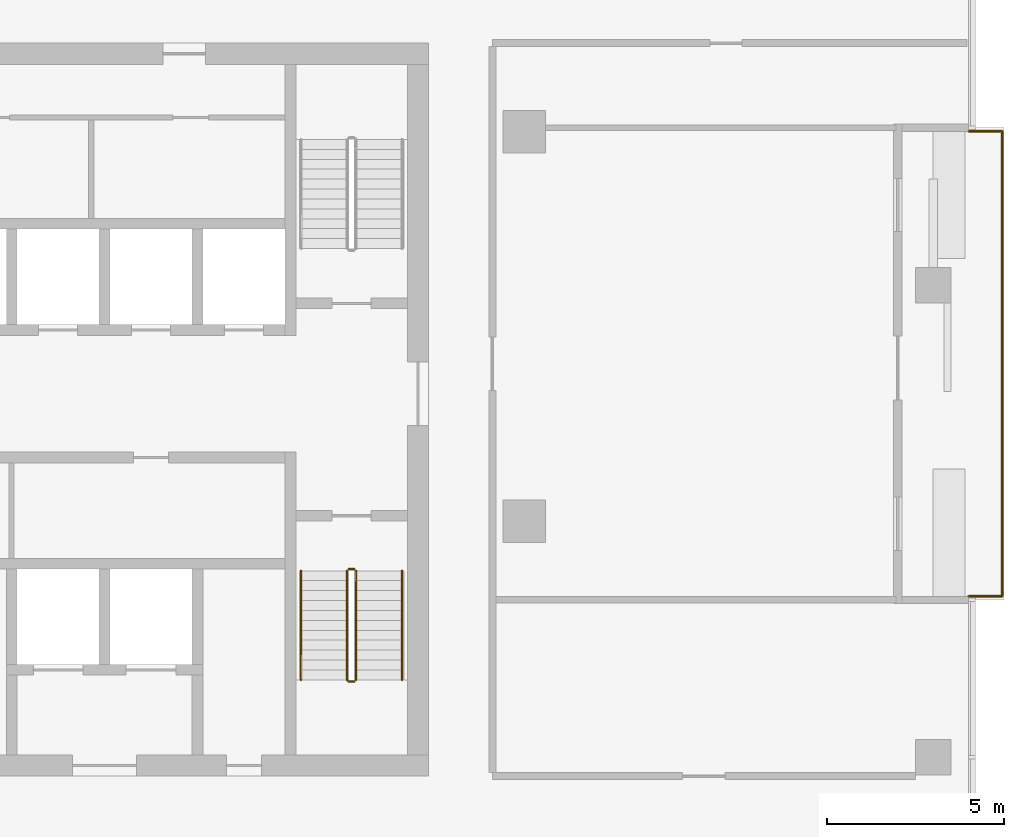
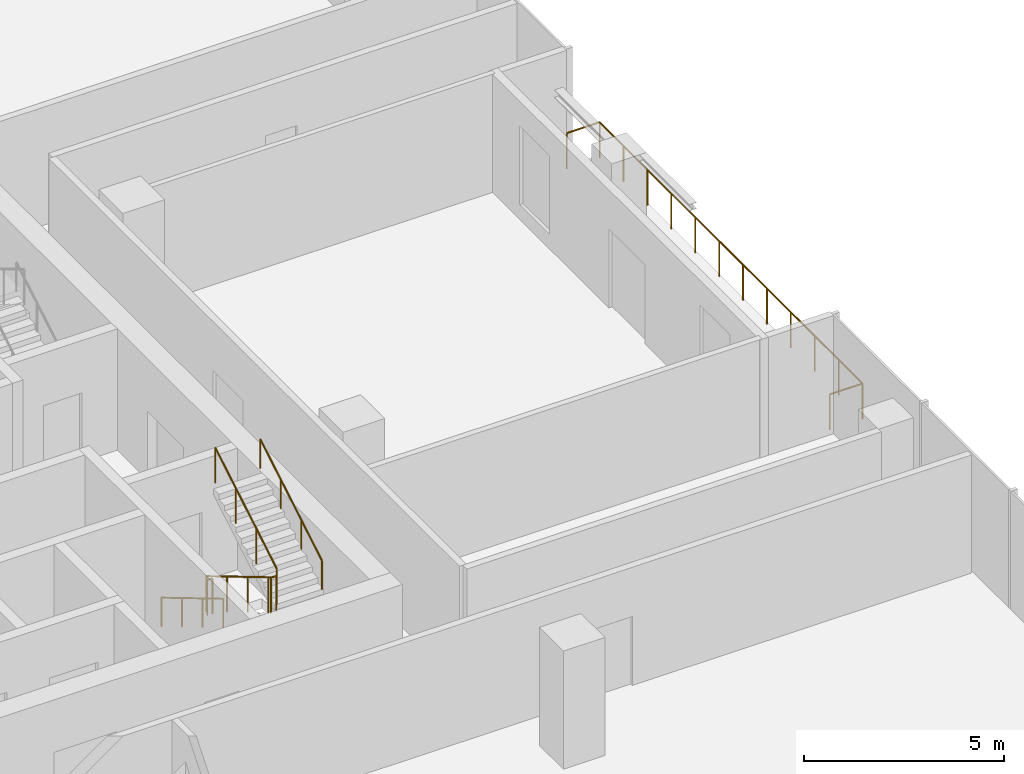
# One storey, part 12 of 13: 6 railings.
"""IFC4 building model written with IfcOpenShell, lengths in metres."""

from ifc_helpers import new_model, si_unit, direction, frame, origin, origin_2d, place, context, subcontext, project, spatial, circle, extrude, material, type_object, element, save


model = new_model("IFC4")

# Units and contexts
model_context = context("Model", 3, precision=1e-05, world=origin(), true_north=direction((0.0, 1.0)))
body_context = subcontext(model_context, "Body", "Model", "MODEL_VIEW")
ifc_project = project(units=[si_unit("LENGTHUNIT", "METRE"), si_unit("AREAUNIT", "SQUARE_METRE"), si_unit("VOLUMEUNIT", "CUBIC_METRE"), si_unit("PLANEANGLEUNIT", "RADIAN"), si_unit("MASSUNIT", "GRAM", prefix="KILO")], contexts=[model_context])

# Site, building, storey
site_placement = place(None, origin())
site = spatial("IfcSite", under=ifc_project, at=site_placement, CompositionType="ELEMENT")
building_placement = place(site_placement, origin())
building = spatial("IfcBuilding", under=site, at=building_placement, Name="Mopane Tessera Tower", CompositionType="ELEMENT")
storey_placement = place(building_placement, frame((0.0, 0.0, 307.39990234375)))
storey = spatial("IfcBuildingStorey", under=building, at=storey_placement, Name="L67", CompositionType="ELEMENT", Elevation=307.39990234375)

# Railings
ifc_material_1 = material(Name="Powder-coated steel balustrade", Category="steel")
railing_type_1 = type_object("IfcRailingType", Name="Escape stair guard 1100 mm", PredefinedType="GUARDRAIL", material=ifc_material_1)
railing_1_placement = place(storey_placement, frame((12.10009765625, -1.39990234375, 0.166748046875)))
element("IfcRailing", 1, at=railing_1_placement, inside=storey, type_object=railing_type_1, Name="L67 ST3 stair guard 1", PredefinedType="GUARDRAIL", context=body_context, shape_type="SweptSolid", body=[
    extrude(circle(Radius=0.02392578125, at=origin_2d()), frame((0.0, 0.0, 1.076171875), z_axis=(0.0, -0.859308565015, 0.511457515432), x_axis=(1.0, 0.0, 0.0)), (0.0, 0.0, 1.0), 3.58447265625),
    extrude(circle(Radius=0.02392578125, at=origin_2d()), frame((0.0, -3.080078125, 2.9091796875), z_axis=(0.705375805398, -0.708833529934, 0.0), x_axis=(0.708833529934, 0.705375805398, 0.0)), (0.0, 0.0, 1.0), 0.070556640625),
    extrude(circle(Radius=0.02392578125, at=origin_2d()), frame((0.0498046875, -3.130126953125, 2.9091796875), z_axis=(1.0, 0.0, 0.0), x_axis=(0.0, 1.0, 0.0)), (0.0, 0.0, 1.0), 0.150146484375),
    extrude(circle(Radius=0.02099609375, at=origin_2d()), origin(), (0.0, 0.0, 1.0), 1.052001953125),
    extrude(circle(Radius=0.02099609375, at=origin_2d()), frame((0.0, -1.026611328125, 0.611083984375)), (0.0, 0.0, 1.0), 1.052001953125),
    extrude(circle(Radius=0.02099609375, at=origin_2d()), frame((0.0, -2.053466796875, 1.22216796875)), (0.0, 0.0, 1.0), 1.052001953125),
    extrude(circle(Radius=0.02099609375, at=origin_2d()), frame((0.0, -3.080078125, 1.833251953125)), (0.0, 0.0, 1.0), 1.052001953125),
    extrude(circle(Radius=0.02099609375, at=origin_2d()), frame((0.0498046875, -3.130126953125, 1.833251953125)), (0.0, 0.0, 1.0), 1.052001953125),
    extrude(circle(Radius=0.02099609375, at=origin_2d()), frame((0.199951171875, -3.130126953125, 1.833251953125)), (0.0, 0.0, 1.0), 1.052001953125),
])
railing_2_placement = place(storey_placement, frame((12.35009765625, -4.47998046875, 2.166748046875)))
element("IfcRailing", 2, at=railing_2_placement, inside=storey, type_object=railing_type_1, Name="L67 ST3 stair guard 2", PredefinedType="GUARDRAIL", context=body_context, shape_type="SweptSolid", body=[
    extrude(circle(Radius=0.02392578125, at=origin_2d()), frame((0.0, 0.0, 1.076171875), z_axis=(0.0, 0.859308565015, 0.511457515432), x_axis=(-1.0, 0.0, 0.0)), (0.0, 0.0, 1.0), 3.58447265625),
    extrude(circle(Radius=0.02099609375, at=origin_2d()), origin(), (0.0, 0.0, 1.0), 1.052001953125),
    extrude(circle(Radius=0.02099609375, at=origin_2d()), frame((0.0, 1.026611328125, 0.611083984375)), (0.0, 0.0, 1.0), 1.052001953125),
    extrude(circle(Radius=0.02099609375, at=origin_2d()), frame((0.0, 2.053466796875, 1.22216796875)), (0.0, 0.0, 1.0), 1.052001953125),
    extrude(circle(Radius=0.02099609375, at=origin_2d()), frame((0.0, 3.080078125, 1.833251953125)), (0.0, 0.0, 1.0), 1.052001953125),
])
railing_3_placement = place(storey_placement, frame((12.14990234375, -1.35009765625, 0.0)))
element("IfcRailing", 3, at=railing_3_placement, inside=storey, type_object=railing_type_1, Name="L67 ST3 stair guard 3", PredefinedType="GUARDRAIL", context=body_context, shape_type="SweptSolid", body=[
    extrude(circle(Radius=0.02392578125, at=origin_2d()), frame((0.0, 0.0, 1.076171875), z_axis=(1.0, 0.0, 0.0), x_axis=(0.0, 1.0, 0.0)), (0.0, 0.0, 1.0), 0.150146484375),
    extrude(circle(Radius=0.02099609375, at=origin_2d()), origin(), (0.0, 0.0, 1.0), 1.052001953125),
    extrude(circle(Radius=0.02099609375, at=origin_2d()), frame((0.150146484375, 0.0, 0.0)), (0.0, 0.0, 1.0), 1.052001953125),
])
ifc_material_2 = material(Name="Powder-coated steel balustrade", Category="steel")
railing_type_2 = type_object("IfcRailingType", Name="Escape stair handrail 900 mm", PredefinedType="HANDRAIL", material=ifc_material_2)
railing_4_placement = place(storey_placement, frame((10.800048828125, -1.39990234375, 0.166748046875)))
element("IfcRailing", 4, at=railing_4_placement, inside=storey, type_object=railing_type_2, Name="L67 ST3 stair handrail 1", PredefinedType="HANDRAIL", context=body_context, shape_type="SweptSolid", body=[
    extrude(circle(Radius=0.02392578125, at=origin_2d()), frame((0.0, 0.0, 0.8759765625), z_axis=(0.0, -0.859308565015, 0.511457515432), x_axis=(1.0, 0.0, 0.0)), (0.0, 0.0, 1.0), 3.58447265625),
    extrude(circle(Radius=0.02099609375, at=origin_2d()), origin(), (0.0, 0.0, 1.0), 0.851806640625),
    extrude(circle(Radius=0.02099609375, at=origin_2d()), frame((0.0, -1.026611328125, 0.611083984375)), (0.0, 0.0, 1.0), 0.851806640625),
    extrude(circle(Radius=0.02099609375, at=origin_2d()), frame((0.0, -2.053466796875, 1.22216796875)), (0.0, 0.0, 1.0), 0.851806640625),
    extrude(circle(Radius=0.02099609375, at=origin_2d()), frame((0.0, -3.080078125, 1.833251953125)), (0.0, 0.0, 1.0), 0.851806640625),
])
railing_5_placement = place(storey_placement, frame((13.64990234375, -4.47998046875, 2.166748046875)))
element("IfcRailing", 5, at=railing_5_placement, inside=storey, type_object=railing_type_2, Name="L67 ST3 stair handrail 2", PredefinedType="HANDRAIL", context=body_context, shape_type="SweptSolid", body=[
    extrude(circle(Radius=0.02392578125, at=origin_2d()), frame((0.0, 0.0, 0.8759765625), z_axis=(0.0, 0.859308565015, 0.511457515432), x_axis=(-1.0, 0.0, 0.0)), (0.0, 0.0, 1.0), 3.58447265625),
    extrude(circle(Radius=0.02099609375, at=origin_2d()), origin(), (0.0, 0.0, 1.0), 0.851806640625),
    extrude(circle(Radius=0.02099609375, at=origin_2d()), frame((0.0, 1.026611328125, 0.611083984375)), (0.0, 0.0, 1.0), 0.851806640625),
    extrude(circle(Radius=0.02099609375, at=origin_2d()), frame((0.0, 2.053466796875, 1.22216796875)), (0.0, 0.0, 1.0), 0.851806640625),
    extrude(circle(Radius=0.02099609375, at=origin_2d()), frame((0.0, 3.080078125, 1.833251953125)), (0.0, 0.0, 1.0), 0.851806640625),
])
ifc_material_3 = material(Name="Stainless steel S316", Category="steel")
railing_type_3 = type_object("IfcRailingType", Name="Terrace guard 1100", PredefinedType="GUARDRAIL", material=ifc_material_3)
railing_6_placement = place(storey_placement, frame((29.64990234375, -2.122314453125, 0.0)))
element("IfcRailing", 6, at=railing_6_placement, inside=storey, type_object=railing_type_3, Name="e:nw:L67:N1:guard", PredefinedType="GUARDRAIL", context=body_context, shape_type="SweptSolid", body=[
    extrude(circle(Radius=0.02392578125, at=origin_2d()), frame((0.0, 0.0, 1.076171875), z_axis=(1.0, 0.0, 0.0), x_axis=(0.0, 1.0, 0.0)), (0.0, 0.0, 1.0), 0.9501953125),
    extrude(circle(Radius=0.02392578125, at=origin_2d()), frame((0.9501953125, 0.0, 1.076171875), z_axis=(0.0, 1.0, 0.0), x_axis=(-1.0, 0.0, 0.0)), (0.0, 0.0, 1.0), 13.133544921875),
    extrude(circle(Radius=0.02392578125, at=origin_2d()), frame((0.9501953125, 13.133544921875, 1.076171875), z_axis=(-1.0, 0.0, 0.0), x_axis=(0.0, -1.0, 0.0)), (0.0, 0.0, 1.0), 0.9501953125),
    extrude(circle(Radius=0.02099609375, at=origin_2d()), origin(), (0.0, 0.0, 1.0), 1.052001953125),
    extrude(circle(Radius=0.02099609375, at=origin_2d()), frame((0.9501953125, 0.0, 0.0)), (0.0, 0.0, 1.0), 1.052001953125),
    extrude(circle(Radius=0.02099609375, at=origin_2d()), frame((0.9501953125, 1.19384765625, 0.0)), (0.0, 0.0, 1.0), 1.052001953125),
    extrude(circle(Radius=0.02099609375, at=origin_2d()), frame((0.9501953125, 2.387939453125, 0.0)), (0.0, 0.0, 1.0), 1.052001953125),
    extrude(circle(Radius=0.02099609375, at=origin_2d()), frame((0.9501953125, 3.581787109375, 0.0)), (0.0, 0.0, 1.0), 1.052001953125),
    extrude(circle(Radius=0.02099609375, at=origin_2d()), frame((0.9501953125, 4.77587890625, 0.0)), (0.0, 0.0, 1.0), 1.052001953125),
    extrude(circle(Radius=0.02099609375, at=origin_2d()), frame((0.9501953125, 5.9697265625, 0.0)), (0.0, 0.0, 1.0), 1.052001953125),
    extrude(circle(Radius=0.02099609375, at=origin_2d()), frame((0.9501953125, 7.163818359375, 0.0)), (0.0, 0.0, 1.0), 1.052001953125),
    extrude(circle(Radius=0.02099609375, at=origin_2d()), frame((0.9501953125, 8.357666015625, 0.0)), (0.0, 0.0, 1.0), 1.052001953125),
    extrude(circle(Radius=0.02099609375, at=origin_2d()), frame((0.9501953125, 9.5517578125, 0.0)), (0.0, 0.0, 1.0), 1.052001953125),
    extrude(circle(Radius=0.02099609375, at=origin_2d()), frame((0.9501953125, 10.74560546875, 0.0)), (0.0, 0.0, 1.0), 1.052001953125),
    extrude(circle(Radius=0.02099609375, at=origin_2d()), frame((0.9501953125, 11.939697265625, 0.0)), (0.0, 0.0, 1.0), 1.052001953125),
    extrude(circle(Radius=0.02099609375, at=origin_2d()), frame((0.9501953125, 13.133544921875, 0.0)), (0.0, 0.0, 1.0), 1.052001953125),
    extrude(circle(Radius=0.02099609375, at=origin_2d()), frame((0.0, 13.133544921875, 0.0)), (0.0, 0.0, 1.0), 1.052001953125),
])

save(model, "model.ifc")
